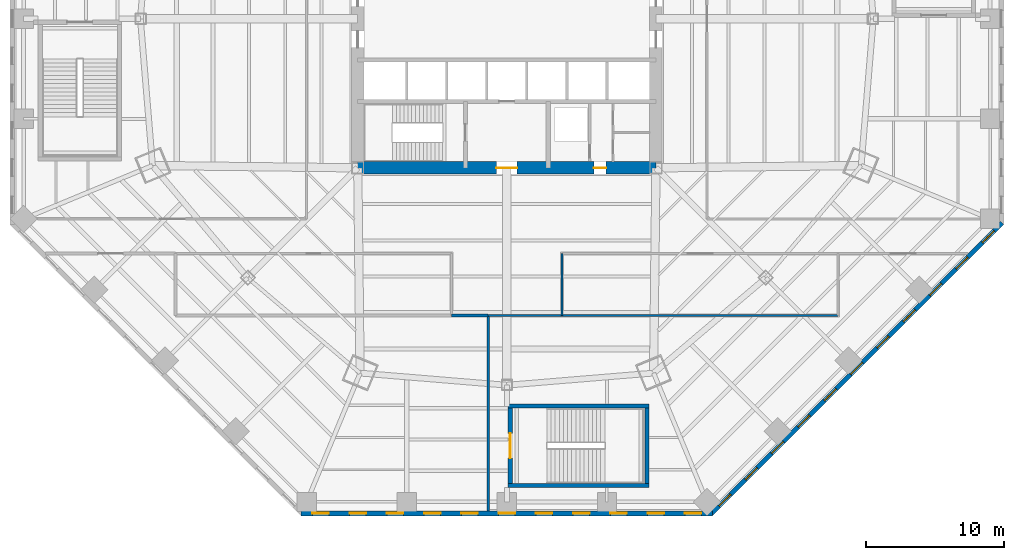
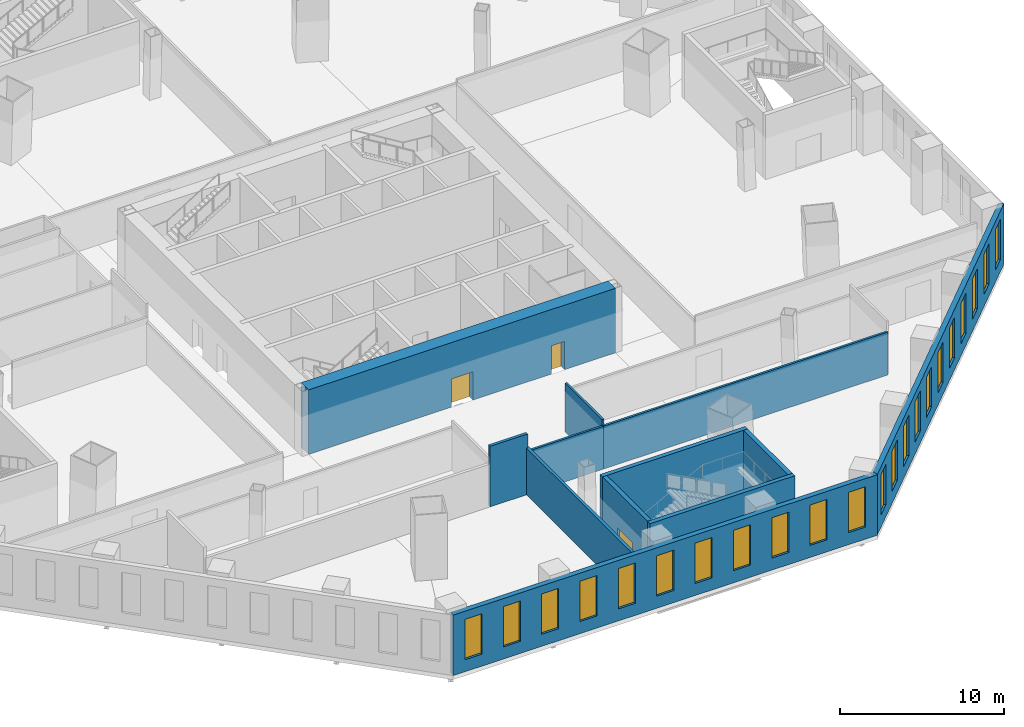
# One storey, part 9 of 19: 22 windows, 12 walls, 3 doors, 25 openings.
"""IFC4 building model written with IfcOpenShell, lengths in metres."""

from ifc_helpers import new_model, si_unit, direction, frame, frame_2d, origin, place, context, subcontext, project, spatial, rectangle, extrude, material, layer, layer_set, type_object, element, fill, save


model = new_model("IFC4")

# Units and contexts
model_context = context("Model", 3, precision=1e-05, world=origin(), true_north=direction((0.0, 1.0)))
body_context = subcontext(model_context, "Body", "Model", "MODEL_VIEW")
ifc_project = project(units=[si_unit("LENGTHUNIT", "METRE"), si_unit("AREAUNIT", "SQUARE_METRE"), si_unit("VOLUMEUNIT", "CUBIC_METRE"), si_unit("PLANEANGLEUNIT", "RADIAN"), si_unit("MASSUNIT", "GRAM", prefix="KILO")], contexts=[model_context])

# Site, building, storey
site_placement = place(None, origin())
site = spatial("IfcSite", under=ifc_project, at=site_placement, CompositionType="ELEMENT")
building_placement = place(site_placement, origin())
building = spatial("IfcBuilding", under=site, at=building_placement, Name="Mashrafa Tower", CompositionType="ELEMENT")
storey_placement = place(building_placement, frame((0.0, 0.0, 24.0)))
storey = spatial("IfcBuildingStorey", under=building, at=storey_placement, Name="L04", CompositionType="ELEMENT", Elevation=24.0)

# Walls
ifc_material_1 = material(Name="Concrete masonry unit", Category="masonry")
ifc_layer_1 = layer(ifc_material_1, 0.199951171875)
ifc_layer_set_1 = layer_set([ifc_layer_1], Name="Blockwork wall 200 2 hr")
wall_type_1 = type_object("IfcWallType", Name="Blockwork wall 200 2 hr", PredefinedType="PARTITIONING", material=ifc_layer_set_1)
wall_1_placement = place(storey_placement, frame((-1.35009765625, -35.64990234375, 0.0), z_axis=(0.0, 0.0, 1.0), x_axis=(0.0, 1.0, 0.0)))
element("IfcWall", 1, at=wall_1_placement, inside=storey, type_object=wall_type_1, Name="Blockwork wall L04-010", PredefinedType="PARTITIONING", context=body_context, shape_type="SweptSolid", body=[
    extrude(rectangle(XDim=14.14990234375, YDim=0.199951171875, at=frame_2d((7.074951171875, 0.0))), origin(), (0.0, 0.0, 1.0), 3.47900390625),
])
wall_2_placement = place(storey_placement, frame((-1.35009765625, -21.5, 0.0), z_axis=(0.0, 0.0, 1.0), x_axis=(-1.0, 0.0, 0.0)))
element("IfcWall", 2, at=wall_2_placement, inside=storey, type_object=wall_type_1, Name="Blockwork wall L04-014", PredefinedType="PARTITIONING", context=body_context, shape_type="SweptSolid", body=[
    extrude(rectangle(XDim=2.65087890625, YDim=0.199951171875, at=frame_2d((1.325439453125, 0.0))), origin(), (0.0, 0.0, 1.0), 4.5),
])

# Wall, openings, doors
ifc_material_2 = material(Name="Concrete C60/75", Category="concrete")
ifc_layer_2 = layer(ifc_material_2, 0.89990234375)
ifc_layer_set_2 = layer_set([ifc_layer_2], Name="Core wall 900 C60/75")
wall_type_2 = type_object("IfcWallType", Name="Core wall 900 C60/75", PredefinedType="SOLIDWALL", material=ifc_layer_set_2)
wall_3_placement = place(storey_placement, frame((-10.800048828125, -10.800048828125, 0.0), z_axis=(0.0, 0.0, 1.0), x_axis=(1.0, 0.0, 0.0)))
wall_3 = element("IfcWall", 3, at=wall_3_placement, inside=storey, type_object=wall_type_2, Name="Core wall CW-S L04", PredefinedType="SOLIDWALL", context=body_context, shape_type="SweptSolid", body=[
    extrude(rectangle(XDim=21.60009765625, YDim=0.89990234375, at=frame_2d((10.800048828125, 0.0))), origin(), (0.0, 0.0, 1.0), 4.800048828125),
])
opening_1_placement = place(wall_3_placement, frame((10.050048828125, 0.0, 0.0)))
opening_1 = element("IfcOpeningElement", 4, at=opening_1_placement, cuts=wall_3, Name="Opening 04.018", PredefinedType="OPENING", context=body_context, shape_type="SweptSolid", body=[
    extrude(rectangle(XDim=1.5, YDim=2.10009765625, at=frame_2d((0.75, 1.050048828125))), frame((0.0, 0.4599609375, 0.0), z_axis=(0.0, -1.0, 0.0), x_axis=(1.0, 0.0, 0.0)), (0.0, 0.0, 1.0), 0.919921875),
])
opening_2_placement = place(wall_3_placement, frame((17.10009765625, 0.0, 0.0)))
opening_2 = element("IfcOpeningElement", 5, at=opening_2_placement, cuts=wall_3, Name="Opening 04.022", PredefinedType="OPENING", context=body_context, shape_type="SweptSolid", body=[
    extrude(rectangle(XDim=0.89990234375, YDim=2.10009765625, at=frame_2d((0.449951171875, 1.050048828125))), frame((0.0, 0.4599609375, 0.0), z_axis=(0.0, -1.0, 0.0), x_axis=(1.0, 0.0, 0.0)), (0.0, 0.0, 1.0), 0.919921875),
])
ifc_material_3 = material(Name="Steel door", Category="steel")
door_type_1 = type_object("IfcDoorType", Name="Lobby door pair 1500 x 2100 90 min", OperationType="DOUBLE_DOOR_SINGLE_SWING", PredefinedType="DOOR", material=ifc_material_3)
door_1_placement = place(opening_1_placement, origin())
door_1 = element("IfcDoor", 6, at=door_1_placement, inside=storey, type_object=door_type_1, Name="Fire-fighting lobby F2 door L04", OperationType="DOUBLE_DOOR_SINGLE_SWING", OverallHeight=2.10009765625, OverallWidth=1.5, PredefinedType="DOOR", context=body_context, shape_type="SweptSolid", body=[
    extrude(rectangle(XDim=1.5, YDim=2.10009765625, at=frame_2d((0.75, 1.050048828125))), frame((0.0, 0.02490234375, 0.0), z_axis=(0.0, -1.0, 0.0), x_axis=(1.0, 0.0, 0.0)), (0.0, 0.0, 1.0), 0.050048828125),
])
fill(opening_1, door_1)
ifc_material_4 = material(Name="Steel door", Category="steel")
door_type_2 = type_object("IfcDoorType", Name="Service door 900 x 2100 90 min", OperationType="USERDEFINED", PredefinedType="DOOR", material=ifc_material_4)
door_2_placement = place(opening_2_placement, frame((0.89990234375, 0.0, 0.0), z_axis=(0.0, 0.0, 1.0), x_axis=(-1.0, 0.0, 0.0)))
door_2 = element("IfcDoor", 7, at=door_2_placement, inside=storey, type_object=door_type_2, Name="Services Lobby L04 door", OperationType="SINGLE_SWING_LEFT", OverallHeight=2.10009765625, OverallWidth=0.89990234375, PredefinedType="DOOR", context=body_context, shape_type="SweptSolid", body=[
    extrude(rectangle(XDim=0.89990234375, YDim=2.10009765625, at=frame_2d((0.449951171875, 1.050048828125))), frame((0.0, 0.02490234375, 0.0), z_axis=(0.0, -1.0, 0.0), x_axis=(1.0, 0.0, 0.0)), (0.0, 0.0, 1.0), 0.050048828125),
])
fill(opening_2, door_2)

# Walls
ifc_material_5 = material(Name="Gypsum board on steel studs", Category="steel")
ifc_layer_3 = layer(ifc_material_5, 0.14990234375)
ifc_layer_set_3 = layer_set([ifc_layer_3], Name="Corridor partition 150 1 hr")
wall_type_3 = type_object("IfcWallType", Name="Corridor partition 150 1 hr", PredefinedType="PARTITIONING", material=ifc_layer_set_3)
wall_4_placement = place(storey_placement, frame((4.0009765625, -21.5, 0.0), z_axis=(0.0, 0.0, 1.0), x_axis=(-1.0, 0.0, 0.0)))
element("IfcWall", 8, at=wall_4_placement, inside=storey, type_object=wall_type_3, Name="Corridor wall L04-017", PredefinedType="PARTITIONING", context=body_context, shape_type="SweptSolid", body=[
    extrude(rectangle(XDim=5.35107421875, YDim=0.14990234375, at=frame_2d((2.675537109375, 0.0))), origin(), (0.0, 0.0, 1.0), 3.18994140625),
])
wall_5_placement = place(storey_placement, frame((4.0, -17.0, 0.0), z_axis=(0.0, 0.0, 1.0), x_axis=(0.0, -1.0, 0.0)))
element("IfcWall", 9, at=wall_5_placement, inside=storey, type_object=wall_type_3, Name="Corridor wall L04-030", PredefinedType="PARTITIONING", context=body_context, shape_type="SweptSolid", body=[
    extrude(rectangle(XDim=4.5, YDim=0.14990234375, at=frame_2d((2.25, 0.0))), origin(), (0.0, 0.0, 1.0), 3.644287109375),
])

# Wall, openings, windows
ifc_material_6 = material(Name="Riyadh limestone cladding on blockwork", Category="masonry")
ifc_layer_4 = layer(ifc_material_6, 0.35009765625)
ifc_layer_set_4 = layer_set([ifc_layer_4], Name="Limestone-clad external wall 350")
wall_type_4 = type_object("IfcWallType", Name="Limestone-clad external wall 350", PredefinedType="SOLIDWALL", material=ifc_layer_set_4)
wall_6_placement = place(storey_placement, frame((-14.91162109375, -35.824951171875, 0.0), z_axis=(0.0, 0.0, 1.0), x_axis=(1.0, 0.0, 0.0)))
wall_6 = element("IfcWall", 10, at=wall_6_placement, inside=storey, type_object=wall_type_4, Name="Limestone-clad external wall L04 south", PredefinedType="SOLIDWALL", context=body_context, shape_type="SweptSolid", body=[
    extrude(rectangle(XDim=29.8232421875, YDim=0.35009765625, at=frame_2d((14.91162109375, 0.0))), origin(), (0.0, 0.0, 1.0), 4.5),
])
opening_3_placement = place(wall_6_placement, frame((0.821533203125, 0.0, 0.89990234375)))
opening_3 = element("IfcOpeningElement", 11, at=opening_3_placement, cuts=wall_6, Name="Opening W3", PredefinedType="OPENING", context=body_context, shape_type="SweptSolid", body=[
    extrude(rectangle(XDim=1.199951171875, YDim=3.0, at=frame_2d((0.60009765625, 1.5))), frame((0.0, 0.18505859375, 0.0), z_axis=(0.0, -1.0, 0.0), x_axis=(1.0, 0.0, 0.0)), (0.0, 0.0, 1.0), 0.3701171875),
])
opening_4_placement = place(wall_6_placement, frame((3.51953125, 0.0, 0.89990234375)))
opening_4 = element("IfcOpeningElement", 12, at=opening_4_placement, cuts=wall_6, Name="Opening W3", PredefinedType="OPENING", context=body_context, shape_type="SweptSolid", body=[
    extrude(rectangle(XDim=1.199951171875, YDim=3.0, at=frame_2d((0.60009765625, 1.5))), frame((0.0, 0.18505859375, 0.0), z_axis=(0.0, -1.0, 0.0), x_axis=(1.0, 0.0, 0.0)), (0.0, 0.0, 1.0), 0.3701171875),
])
opening_5_placement = place(wall_6_placement, frame((6.217529296875, 0.0, 0.89990234375)))
opening_5 = element("IfcOpeningElement", 13, at=opening_5_placement, cuts=wall_6, Name="Opening W3", PredefinedType="OPENING", context=body_context, shape_type="SweptSolid", body=[
    extrude(rectangle(XDim=1.199951171875, YDim=3.0, at=frame_2d((0.60009765625, 1.5))), frame((0.0, 0.18505859375, 0.0), z_axis=(0.0, -1.0, 0.0), x_axis=(1.0, 0.0, 0.0)), (0.0, 0.0, 1.0), 0.3701171875),
])
opening_6_placement = place(wall_6_placement, frame((8.91552734375, 0.0, 0.89990234375)))
opening_6 = element("IfcOpeningElement", 14, at=opening_6_placement, cuts=wall_6, Name="Opening W3", PredefinedType="OPENING", context=body_context, shape_type="SweptSolid", body=[
    extrude(rectangle(XDim=1.199951171875, YDim=3.0, at=frame_2d((0.60009765625, 1.5))), frame((0.0, 0.18505859375, 0.0), z_axis=(0.0, -1.0, 0.0), x_axis=(1.0, 0.0, 0.0)), (0.0, 0.0, 1.0), 0.3701171875),
])
opening_7_placement = place(wall_6_placement, frame((11.61376953125, 0.0, 0.89990234375)))
opening_7 = element("IfcOpeningElement", 15, at=opening_7_placement, cuts=wall_6, Name="Opening W3", PredefinedType="OPENING", context=body_context, shape_type="SweptSolid", body=[
    extrude(rectangle(XDim=1.199951171875, YDim=3.0, at=frame_2d((0.60009765625, 1.5))), frame((0.0, 0.18505859375, 0.0), z_axis=(0.0, -1.0, 0.0), x_axis=(1.0, 0.0, 0.0)), (0.0, 0.0, 1.0), 0.3701171875),
])
opening_8_placement = place(wall_6_placement, frame((14.311767578125, 0.0, 0.89990234375)))
opening_8 = element("IfcOpeningElement", 16, at=opening_8_placement, cuts=wall_6, Name="Opening W3", PredefinedType="OPENING", context=body_context, shape_type="SweptSolid", body=[
    extrude(rectangle(XDim=1.199951171875, YDim=3.0, at=frame_2d((0.60009765625, 1.5))), frame((0.0, 0.18505859375, 0.0), z_axis=(0.0, -1.0, 0.0), x_axis=(1.0, 0.0, 0.0)), (0.0, 0.0, 1.0), 0.3701171875),
])
opening_9_placement = place(wall_6_placement, frame((17.009765625, 0.0, 0.89990234375)))
opening_9 = element("IfcOpeningElement", 17, at=opening_9_placement, cuts=wall_6, Name="Opening W3", PredefinedType="OPENING", context=body_context, shape_type="SweptSolid", body=[
    extrude(rectangle(XDim=1.199951171875, YDim=3.0, at=frame_2d((0.60009765625, 1.5))), frame((0.0, 0.18505859375, 0.0), z_axis=(0.0, -1.0, 0.0), x_axis=(1.0, 0.0, 0.0)), (0.0, 0.0, 1.0), 0.3701171875),
])
opening_10_placement = place(wall_6_placement, frame((19.707763671875, 0.0, 0.89990234375)))
opening_10 = element("IfcOpeningElement", 18, at=opening_10_placement, cuts=wall_6, Name="Opening W3", PredefinedType="OPENING", context=body_context, shape_type="SweptSolid", body=[
    extrude(rectangle(XDim=1.199951171875, YDim=3.0, at=frame_2d((0.60009765625, 1.5))), frame((0.0, 0.18505859375, 0.0), z_axis=(0.0, -1.0, 0.0), x_axis=(1.0, 0.0, 0.0)), (0.0, 0.0, 1.0), 0.3701171875),
])
opening_11_placement = place(wall_6_placement, frame((22.40576171875, 0.0, 0.89990234375)))
opening_11 = element("IfcOpeningElement", 19, at=opening_11_placement, cuts=wall_6, Name="Opening W3", PredefinedType="OPENING", context=body_context, shape_type="SweptSolid", body=[
    extrude(rectangle(XDim=1.199951171875, YDim=3.0, at=frame_2d((0.60009765625, 1.5))), frame((0.0, 0.18505859375, 0.0), z_axis=(0.0, -1.0, 0.0), x_axis=(1.0, 0.0, 0.0)), (0.0, 0.0, 1.0), 0.3701171875),
])
opening_12_placement = place(wall_6_placement, frame((25.103759765625, 0.0, 0.89990234375)))
opening_12 = element("IfcOpeningElement", 20, at=opening_12_placement, cuts=wall_6, Name="Opening W3", PredefinedType="OPENING", context=body_context, shape_type="SweptSolid", body=[
    extrude(rectangle(XDim=1.199951171875, YDim=3.0, at=frame_2d((0.60009765625, 1.5))), frame((0.0, 0.18505859375, 0.0), z_axis=(0.0, -1.0, 0.0), x_axis=(1.0, 0.0, 0.0)), (0.0, 0.0, 1.0), 0.3701171875),
])
opening_13_placement = place(wall_6_placement, frame((27.8017578125, 0.0, 0.89990234375)))
opening_13 = element("IfcOpeningElement", 21, at=opening_13_placement, cuts=wall_6, Name="Opening W3", PredefinedType="OPENING", context=body_context, shape_type="SweptSolid", body=[
    extrude(rectangle(XDim=1.199951171875, YDim=3.0, at=frame_2d((0.60009765625, 1.5))), frame((0.0, 0.18505859375, 0.0), z_axis=(0.0, -1.0, 0.0), x_axis=(1.0, 0.0, 0.0)), (0.0, 0.0, 1.0), 0.3701171875),
])
ifc_material_7 = material(Name="Bronze-framed insulated glazing", Category="glass")
window_type = type_object("IfcWindowType", Name="Tall punched window 1200 x 3000", PartitioningType="DOUBLE_PANEL_HORIZONTAL", PredefinedType="WINDOW", material=ifc_material_7)
window_1_placement = place(opening_3_placement, origin())
window_1 = element("IfcWindow", 22, at=window_1_placement, inside=storey, type_object=window_type, Name="Window W3 L04 south bay 1", OverallHeight=3.0, OverallWidth=1.199951171875, PartitioningType="SINGLE_PANEL", PredefinedType="WINDOW", context=body_context, shape_type="SweptSolid", body=[
    extrude(rectangle(XDim=1.199951171875, YDim=3.0, at=frame_2d((0.60009765625, 1.5))), frame((0.0, 0.030029296875, 0.0), z_axis=(0.0, -1.0, 0.0), x_axis=(1.0, 0.0, 0.0)), (0.0, 0.0, 1.0), 0.06005859375),
])
fill(opening_3, window_1)
window_2_placement = place(opening_4_placement, origin())
window_2 = element("IfcWindow", 23, at=window_2_placement, inside=storey, type_object=window_type, Name="Window W3 L04 south bay 2", OverallHeight=3.0, OverallWidth=1.199951171875, PartitioningType="SINGLE_PANEL", PredefinedType="WINDOW", context=body_context, shape_type="SweptSolid", body=[
    extrude(rectangle(XDim=1.199951171875, YDim=3.0, at=frame_2d((0.60009765625, 1.5))), frame((0.0, 0.030029296875, 0.0), z_axis=(0.0, -1.0, 0.0), x_axis=(1.0, 0.0, 0.0)), (0.0, 0.0, 1.0), 0.06005859375),
])
fill(opening_4, window_2)
window_3_placement = place(opening_5_placement, origin())
window_3 = element("IfcWindow", 24, at=window_3_placement, inside=storey, type_object=window_type, Name="Window W3 L04 south bay 3", OverallHeight=3.0, OverallWidth=1.199951171875, PartitioningType="SINGLE_PANEL", PredefinedType="WINDOW", context=body_context, shape_type="SweptSolid", body=[
    extrude(rectangle(XDim=1.199951171875, YDim=3.0, at=frame_2d((0.60009765625, 1.5))), frame((0.0, 0.030029296875, 0.0), z_axis=(0.0, -1.0, 0.0), x_axis=(1.0, 0.0, 0.0)), (0.0, 0.0, 1.0), 0.06005859375),
])
fill(opening_5, window_3)
window_4_placement = place(opening_6_placement, origin())
window_4 = element("IfcWindow", 25, at=window_4_placement, inside=storey, type_object=window_type, Name="Window W3 L04 south bay 4", OverallHeight=3.0, OverallWidth=1.199951171875, PartitioningType="SINGLE_PANEL", PredefinedType="WINDOW", context=body_context, shape_type="SweptSolid", body=[
    extrude(rectangle(XDim=1.199951171875, YDim=3.0, at=frame_2d((0.60009765625, 1.5))), frame((0.0, 0.030029296875, 0.0), z_axis=(0.0, -1.0, 0.0), x_axis=(1.0, 0.0, 0.0)), (0.0, 0.0, 1.0), 0.06005859375),
])
fill(opening_6, window_4)
window_5_placement = place(opening_7_placement, origin())
window_5 = element("IfcWindow", 26, at=window_5_placement, inside=storey, type_object=window_type, Name="Window W3 L04 south bay 5", OverallHeight=3.0, OverallWidth=1.199951171875, PartitioningType="SINGLE_PANEL", PredefinedType="WINDOW", context=body_context, shape_type="SweptSolid", body=[
    extrude(rectangle(XDim=1.199951171875, YDim=3.0, at=frame_2d((0.60009765625, 1.5))), frame((0.0, 0.030029296875, 0.0), z_axis=(0.0, -1.0, 0.0), x_axis=(1.0, 0.0, 0.0)), (0.0, 0.0, 1.0), 0.06005859375),
])
fill(opening_7, window_5)
window_6_placement = place(opening_8_placement, origin())
window_6 = element("IfcWindow", 27, at=window_6_placement, inside=storey, type_object=window_type, Name="Window W3 L04 south bay 6", OverallHeight=3.0, OverallWidth=1.199951171875, PartitioningType="SINGLE_PANEL", PredefinedType="WINDOW", context=body_context, shape_type="SweptSolid", body=[
    extrude(rectangle(XDim=1.199951171875, YDim=3.0, at=frame_2d((0.60009765625, 1.5))), frame((0.0, 0.030029296875, 0.0), z_axis=(0.0, -1.0, 0.0), x_axis=(1.0, 0.0, 0.0)), (0.0, 0.0, 1.0), 0.06005859375),
])
fill(opening_8, window_6)
window_7_placement = place(opening_9_placement, origin())
window_7 = element("IfcWindow", 28, at=window_7_placement, inside=storey, type_object=window_type, Name="Window W3 L04 south bay 7", OverallHeight=3.0, OverallWidth=1.199951171875, PartitioningType="SINGLE_PANEL", PredefinedType="WINDOW", context=body_context, shape_type="SweptSolid", body=[
    extrude(rectangle(XDim=1.199951171875, YDim=3.0, at=frame_2d((0.60009765625, 1.5))), frame((0.0, 0.030029296875, 0.0), z_axis=(0.0, -1.0, 0.0), x_axis=(1.0, 0.0, 0.0)), (0.0, 0.0, 1.0), 0.06005859375),
])
fill(opening_9, window_7)
window_8_placement = place(opening_10_placement, origin())
window_8 = element("IfcWindow", 29, at=window_8_placement, inside=storey, type_object=window_type, Name="Window W3 L04 south bay 8", OverallHeight=3.0, OverallWidth=1.199951171875, PartitioningType="SINGLE_PANEL", PredefinedType="WINDOW", context=body_context, shape_type="SweptSolid", body=[
    extrude(rectangle(XDim=1.199951171875, YDim=3.0, at=frame_2d((0.60009765625, 1.5))), frame((0.0, 0.030029296875, 0.0), z_axis=(0.0, -1.0, 0.0), x_axis=(1.0, 0.0, 0.0)), (0.0, 0.0, 1.0), 0.06005859375),
])
fill(opening_10, window_8)
window_9_placement = place(opening_11_placement, origin())
window_9 = element("IfcWindow", 30, at=window_9_placement, inside=storey, type_object=window_type, Name="Window W3 L04 south bay 9", OverallHeight=3.0, OverallWidth=1.199951171875, PartitioningType="SINGLE_PANEL", PredefinedType="WINDOW", context=body_context, shape_type="SweptSolid", body=[
    extrude(rectangle(XDim=1.199951171875, YDim=3.0, at=frame_2d((0.60009765625, 1.5))), frame((0.0, 0.030029296875, 0.0), z_axis=(0.0, -1.0, 0.0), x_axis=(1.0, 0.0, 0.0)), (0.0, 0.0, 1.0), 0.06005859375),
])
fill(opening_11, window_9)
window_10_placement = place(opening_12_placement, origin())
window_10 = element("IfcWindow", 31, at=window_10_placement, inside=storey, type_object=window_type, Name="Window W3 L04 south bay 10", OverallHeight=3.0, OverallWidth=1.199951171875, PartitioningType="SINGLE_PANEL", PredefinedType="WINDOW", context=body_context, shape_type="SweptSolid", body=[
    extrude(rectangle(XDim=1.199951171875, YDim=3.0, at=frame_2d((0.60009765625, 1.5))), frame((0.0, 0.030029296875, 0.0), z_axis=(0.0, -1.0, 0.0), x_axis=(1.0, 0.0, 0.0)), (0.0, 0.0, 1.0), 0.06005859375),
])
fill(opening_12, window_10)
window_11_placement = place(opening_13_placement, origin())
window_11 = element("IfcWindow", 32, at=window_11_placement, inside=storey, type_object=window_type, Name="Window W3 L04 south bay 11", OverallHeight=3.0, OverallWidth=1.199951171875, PartitioningType="SINGLE_PANEL", PredefinedType="WINDOW", context=body_context, shape_type="SweptSolid", body=[
    extrude(rectangle(XDim=1.199951171875, YDim=3.0, at=frame_2d((0.60009765625, 1.5))), frame((0.0, 0.030029296875, 0.0), z_axis=(0.0, -1.0, 0.0), x_axis=(1.0, 0.0, 0.0)), (0.0, 0.0, 1.0), 0.06005859375),
])
fill(opening_13, window_11)

wall_7_placement = place(storey_placement, frame((14.787841796875, -35.876220703125, 0.0), z_axis=(0.0, 0.0, 1.0), x_axis=(0.707106781187, 0.707106781187, 0.0)))
wall_7 = element("IfcWall", 33, at=wall_7_placement, inside=storey, type_object=wall_type_4, Name="Limestone-clad external wall L04 south-east", PredefinedType="SOLIDWALL", context=body_context, shape_type="SweptSolid", body=[
    extrude(rectangle(XDim=29.823486328125, YDim=0.35009765625, at=frame_2d((14.91162109375, 0.0))), origin(), (0.0, 0.0, 1.0), 4.5),
])
opening_14_placement = place(wall_7_placement, frame((0.821533203125, 0.0, 0.89990234375)))
opening_14 = element("IfcOpeningElement", 34, at=opening_14_placement, cuts=wall_7, Name="Opening W3", PredefinedType="OPENING", context=body_context, shape_type="SweptSolid", body=[
    extrude(rectangle(XDim=1.199951171875, YDim=3.0, at=frame_2d((0.60009765625, 1.5))), frame((0.0, 0.18505859375, 0.0), z_axis=(0.0, -1.0, 0.0), x_axis=(1.0, 0.0, 0.0)), (0.0, 0.0, 1.0), 0.3701171875),
])
opening_15_placement = place(wall_7_placement, frame((3.51953125, 0.0, 0.89990234375)))
opening_15 = element("IfcOpeningElement", 35, at=opening_15_placement, cuts=wall_7, Name="Opening W3", PredefinedType="OPENING", context=body_context, shape_type="SweptSolid", body=[
    extrude(rectangle(XDim=1.199951171875, YDim=3.0, at=frame_2d((0.60009765625, 1.5))), frame((0.0, 0.18505859375, 0.0), z_axis=(0.0, -1.0, 0.0), x_axis=(1.0, 0.0, 0.0)), (0.0, 0.0, 1.0), 0.3701171875),
])
opening_16_placement = place(wall_7_placement, frame((6.217529296875, 0.0, 0.89990234375)))
opening_16 = element("IfcOpeningElement", 36, at=opening_16_placement, cuts=wall_7, Name="Opening W3", PredefinedType="OPENING", context=body_context, shape_type="SweptSolid", body=[
    extrude(rectangle(XDim=1.199951171875, YDim=3.0, at=frame_2d((0.60009765625, 1.5))), frame((0.0, 0.18505859375, 0.0), z_axis=(0.0, -1.0, 0.0), x_axis=(1.0, 0.0, 0.0)), (0.0, 0.0, 1.0), 0.3701171875),
])
opening_17_placement = place(wall_7_placement, frame((8.91552734375, 0.0, 0.89990234375)))
opening_17 = element("IfcOpeningElement", 37, at=opening_17_placement, cuts=wall_7, Name="Opening W3", PredefinedType="OPENING", context=body_context, shape_type="SweptSolid", body=[
    extrude(rectangle(XDim=1.199951171875, YDim=3.0, at=frame_2d((0.60009765625, 1.5))), frame((0.0, 0.18505859375, 0.0), z_axis=(0.0, -1.0, 0.0), x_axis=(1.0, 0.0, 0.0)), (0.0, 0.0, 1.0), 0.3701171875),
])
opening_18_placement = place(wall_7_placement, frame((11.61376953125, 0.0, 0.89990234375)))
opening_18 = element("IfcOpeningElement", 38, at=opening_18_placement, cuts=wall_7, Name="Opening W3", PredefinedType="OPENING", context=body_context, shape_type="SweptSolid", body=[
    extrude(rectangle(XDim=1.199951171875, YDim=3.0, at=frame_2d((0.60009765625, 1.5))), frame((0.0, 0.18505859375, 0.0), z_axis=(0.0, -1.0, 0.0), x_axis=(1.0, 0.0, 0.0)), (0.0, 0.0, 1.0), 0.3701171875),
])
opening_19_placement = place(wall_7_placement, frame((14.311767578125, 0.0, 0.89990234375)))
opening_19 = element("IfcOpeningElement", 39, at=opening_19_placement, cuts=wall_7, Name="Opening W3", PredefinedType="OPENING", context=body_context, shape_type="SweptSolid", body=[
    extrude(rectangle(XDim=1.199951171875, YDim=3.0, at=frame_2d((0.60009765625, 1.5))), frame((0.0, 0.18505859375, 0.0), z_axis=(0.0, -1.0, 0.0), x_axis=(1.0, 0.0, 0.0)), (0.0, 0.0, 1.0), 0.3701171875),
])
opening_20_placement = place(wall_7_placement, frame((17.009765625, 0.0, 0.89990234375)))
opening_20 = element("IfcOpeningElement", 40, at=opening_20_placement, cuts=wall_7, Name="Opening W3", PredefinedType="OPENING", context=body_context, shape_type="SweptSolid", body=[
    extrude(rectangle(XDim=1.199951171875, YDim=3.0, at=frame_2d((0.60009765625, 1.5))), frame((0.0, 0.18505859375, 0.0), z_axis=(0.0, -1.0, 0.0), x_axis=(1.0, 0.0, 0.0)), (0.0, 0.0, 1.0), 0.3701171875),
])
opening_21_placement = place(wall_7_placement, frame((19.707763671875, 0.0, 0.89990234375)))
opening_21 = element("IfcOpeningElement", 41, at=opening_21_placement, cuts=wall_7, Name="Opening W3", PredefinedType="OPENING", context=body_context, shape_type="SweptSolid", body=[
    extrude(rectangle(XDim=1.199951171875, YDim=3.0, at=frame_2d((0.60009765625, 1.5))), frame((0.0, 0.18505859375, 0.0), z_axis=(0.0, -1.0, 0.0), x_axis=(1.0, 0.0, 0.0)), (0.0, 0.0, 1.0), 0.3701171875),
])
opening_22_placement = place(wall_7_placement, frame((22.40576171875, 0.0, 0.89990234375)))
opening_22 = element("IfcOpeningElement", 42, at=opening_22_placement, cuts=wall_7, Name="Opening W3", PredefinedType="OPENING", context=body_context, shape_type="SweptSolid", body=[
    extrude(rectangle(XDim=1.199951171875, YDim=3.0, at=frame_2d((0.60009765625, 1.5))), frame((0.0, 0.18505859375, 0.0), z_axis=(0.0, -1.0, 0.0), x_axis=(1.0, 0.0, 0.0)), (0.0, 0.0, 1.0), 0.3701171875),
])
opening_23_placement = place(wall_7_placement, frame((25.103759765625, 0.0, 0.89990234375)))
opening_23 = element("IfcOpeningElement", 43, at=opening_23_placement, cuts=wall_7, Name="Opening W3", PredefinedType="OPENING", context=body_context, shape_type="SweptSolid", body=[
    extrude(rectangle(XDim=1.199951171875, YDim=3.0, at=frame_2d((0.60009765625, 1.5))), frame((0.0, 0.18505859375, 0.0), z_axis=(0.0, -1.0, 0.0), x_axis=(1.0, 0.0, 0.0)), (0.0, 0.0, 1.0), 0.3701171875),
])
opening_24_placement = place(wall_7_placement, frame((27.8017578125, 0.0, 0.89990234375)))
opening_24 = element("IfcOpeningElement", 44, at=opening_24_placement, cuts=wall_7, Name="Opening W3", PredefinedType="OPENING", context=body_context, shape_type="SweptSolid", body=[
    extrude(rectangle(XDim=1.199951171875, YDim=3.0, at=frame_2d((0.60009765625, 1.5))), frame((0.0, 0.18505859375, 0.0), z_axis=(0.0, -1.0, 0.0), x_axis=(1.0, 0.0, 0.0)), (0.0, 0.0, 1.0), 0.3701171875),
])
window_12_placement = place(opening_14_placement, origin())
window_12 = element("IfcWindow", 45, at=window_12_placement, inside=storey, type_object=window_type, Name="Window W3 L04 south-east bay 1", OverallHeight=3.0, OverallWidth=1.199951171875, PartitioningType="SINGLE_PANEL", PredefinedType="WINDOW", context=body_context, shape_type="SweptSolid", body=[
    extrude(rectangle(XDim=1.199951171875, YDim=3.0, at=frame_2d((0.60009765625, 1.5))), frame((0.0, 0.030029296875, 0.0), z_axis=(0.0, -1.0, 0.0), x_axis=(1.0, 0.0, 0.0)), (0.0, 0.0, 1.0), 0.06005859375),
])
fill(opening_14, window_12)
window_13_placement = place(opening_15_placement, origin())
window_13 = element("IfcWindow", 46, at=window_13_placement, inside=storey, type_object=window_type, Name="Window W3 L04 south-east bay 2", OverallHeight=3.0, OverallWidth=1.199951171875, PartitioningType="SINGLE_PANEL", PredefinedType="WINDOW", context=body_context, shape_type="SweptSolid", body=[
    extrude(rectangle(XDim=1.199951171875, YDim=3.0, at=frame_2d((0.60009765625, 1.5))), frame((0.0, 0.030029296875, 0.0), z_axis=(0.0, -1.0, 0.0), x_axis=(1.0, 0.0, 0.0)), (0.0, 0.0, 1.0), 0.06005859375),
])
fill(opening_15, window_13)
window_14_placement = place(opening_16_placement, origin())
window_14 = element("IfcWindow", 47, at=window_14_placement, inside=storey, type_object=window_type, Name="Window W3 L04 south-east bay 3", OverallHeight=3.0, OverallWidth=1.199951171875, PartitioningType="SINGLE_PANEL", PredefinedType="WINDOW", context=body_context, shape_type="SweptSolid", body=[
    extrude(rectangle(XDim=1.199951171875, YDim=3.0, at=frame_2d((0.60009765625, 1.5))), frame((0.0, 0.030029296875, 0.0), z_axis=(0.0, -1.0, 0.0), x_axis=(1.0, 0.0, 0.0)), (0.0, 0.0, 1.0), 0.06005859375),
])
fill(opening_16, window_14)
window_15_placement = place(opening_17_placement, origin())
window_15 = element("IfcWindow", 48, at=window_15_placement, inside=storey, type_object=window_type, Name="Window W3 L04 south-east bay 4", OverallHeight=3.0, OverallWidth=1.199951171875, PartitioningType="SINGLE_PANEL", PredefinedType="WINDOW", context=body_context, shape_type="SweptSolid", body=[
    extrude(rectangle(XDim=1.199951171875, YDim=3.0, at=frame_2d((0.60009765625, 1.5))), frame((0.0, 0.030029296875, 0.0), z_axis=(0.0, -1.0, 0.0), x_axis=(1.0, 0.0, 0.0)), (0.0, 0.0, 1.0), 0.06005859375),
])
fill(opening_17, window_15)
window_16_placement = place(opening_18_placement, origin())
window_16 = element("IfcWindow", 49, at=window_16_placement, inside=storey, type_object=window_type, Name="Window W3 L04 south-east bay 5", OverallHeight=3.0, OverallWidth=1.199951171875, PartitioningType="SINGLE_PANEL", PredefinedType="WINDOW", context=body_context, shape_type="SweptSolid", body=[
    extrude(rectangle(XDim=1.199951171875, YDim=3.0, at=frame_2d((0.60009765625, 1.5))), frame((0.0, 0.030029296875, 0.0), z_axis=(0.0, -1.0, 0.0), x_axis=(1.0, 0.0, 0.0)), (0.0, 0.0, 1.0), 0.06005859375),
])
fill(opening_18, window_16)
window_17_placement = place(opening_19_placement, origin())
window_17 = element("IfcWindow", 50, at=window_17_placement, inside=storey, type_object=window_type, Name="Window W3 L04 south-east bay 6", OverallHeight=3.0, OverallWidth=1.199951171875, PartitioningType="SINGLE_PANEL", PredefinedType="WINDOW", context=body_context, shape_type="SweptSolid", body=[
    extrude(rectangle(XDim=1.199951171875, YDim=3.0, at=frame_2d((0.60009765625, 1.5))), frame((0.0, 0.030029296875, 0.0), z_axis=(0.0, -1.0, 0.0), x_axis=(1.0, 0.0, 0.0)), (0.0, 0.0, 1.0), 0.06005859375),
])
fill(opening_19, window_17)
window_18_placement = place(opening_20_placement, origin())
window_18 = element("IfcWindow", 51, at=window_18_placement, inside=storey, type_object=window_type, Name="Window W3 L04 south-east bay 7", OverallHeight=3.0, OverallWidth=1.199951171875, PartitioningType="SINGLE_PANEL", PredefinedType="WINDOW", context=body_context, shape_type="SweptSolid", body=[
    extrude(rectangle(XDim=1.199951171875, YDim=3.0, at=frame_2d((0.60009765625, 1.5))), frame((0.0, 0.030029296875, 0.0), z_axis=(0.0, -1.0, 0.0), x_axis=(1.0, 0.0, 0.0)), (0.0, 0.0, 1.0), 0.06005859375),
])
fill(opening_20, window_18)
window_19_placement = place(opening_21_placement, origin())
window_19 = element("IfcWindow", 52, at=window_19_placement, inside=storey, type_object=window_type, Name="Window W3 L04 south-east bay 8", OverallHeight=3.0, OverallWidth=1.199951171875, PartitioningType="SINGLE_PANEL", PredefinedType="WINDOW", context=body_context, shape_type="SweptSolid", body=[
    extrude(rectangle(XDim=1.199951171875, YDim=3.0, at=frame_2d((0.60009765625, 1.5))), frame((0.0, 0.030029296875, 0.0), z_axis=(0.0, -1.0, 0.0), x_axis=(1.0, 0.0, 0.0)), (0.0, 0.0, 1.0), 0.06005859375),
])
fill(opening_21, window_19)
window_20_placement = place(opening_22_placement, origin())
window_20 = element("IfcWindow", 53, at=window_20_placement, inside=storey, type_object=window_type, Name="Window W3 L04 south-east bay 9", OverallHeight=3.0, OverallWidth=1.199951171875, PartitioningType="SINGLE_PANEL", PredefinedType="WINDOW", context=body_context, shape_type="SweptSolid", body=[
    extrude(rectangle(XDim=1.199951171875, YDim=3.0, at=frame_2d((0.60009765625, 1.5))), frame((0.0, 0.030029296875, 0.0), z_axis=(0.0, -1.0, 0.0), x_axis=(1.0, 0.0, 0.0)), (0.0, 0.0, 1.0), 0.06005859375),
])
fill(opening_22, window_20)
window_21_placement = place(opening_23_placement, origin())
window_21 = element("IfcWindow", 54, at=window_21_placement, inside=storey, type_object=window_type, Name="Window W3 L04 south-east bay 10", OverallHeight=3.0, OverallWidth=1.199951171875, PartitioningType="SINGLE_PANEL", PredefinedType="WINDOW", context=body_context, shape_type="SweptSolid", body=[
    extrude(rectangle(XDim=1.199951171875, YDim=3.0, at=frame_2d((0.60009765625, 1.5))), frame((0.0, 0.030029296875, 0.0), z_axis=(0.0, -1.0, 0.0), x_axis=(1.0, 0.0, 0.0)), (0.0, 0.0, 1.0), 0.06005859375),
])
fill(opening_23, window_21)
window_22_placement = place(opening_24_placement, origin())
window_22 = element("IfcWindow", 55, at=window_22_placement, inside=storey, type_object=window_type, Name="Window W3 L04 south-east bay 11", OverallHeight=3.0, OverallWidth=1.199951171875, PartitioningType="SINGLE_PANEL", PredefinedType="WINDOW", context=body_context, shape_type="SweptSolid", body=[
    extrude(rectangle(XDim=1.199951171875, YDim=3.0, at=frame_2d((0.60009765625, 1.5))), frame((0.0, 0.030029296875, 0.0), z_axis=(0.0, -1.0, 0.0), x_axis=(1.0, 0.0, 0.0)), (0.0, 0.0, 1.0), 0.06005859375),
])
fill(opening_24, window_22)

# Walls
ifc_material_8 = material(Name="Gypsum board on steel studs", Category="steel")
ifc_layer_5 = layer(ifc_material_8, 0.14990234375)
ifc_layer_set_5 = layer_set([ifc_layer_5], Name="Partition 150")
wall_type_5 = type_object("IfcWallType", Name="Partition 150", PredefinedType="PARTITIONING", material=ifc_layer_set_5)
wall_8_placement = place(storey_placement, frame((24.0, -21.5, 0.0), z_axis=(0.0, 0.0, 1.0), x_axis=(-1.0, 0.0, 0.0)))
element("IfcWall", 56, at=wall_8_placement, inside=storey, type_object=wall_type_5, Name="Partition wall L04-016", PredefinedType="PARTITIONING", context=body_context, shape_type="SweptSolid", body=[
    extrude(rectangle(XDim=20.0009765625, YDim=0.14990234375, at=frame_2d((10.00048828125, 0.0))), origin(), (0.0, 0.0, 1.0), 3.18994140625),
])
ifc_material_9 = material(Name="Concrete C35/45", Category="concrete")
ifc_layer_6 = layer(ifc_material_9, 0.300048828125)
ifc_layer_set_6 = layer_set([ifc_layer_6], Name="Stair core wall 300 3 hr")
wall_type_6 = type_object("IfcWallType", Name="Stair core wall 300 3 hr", PredefinedType="SOLIDWALL", material=ifc_layer_set_6)
for number, where, z_axis, x_axis, name in (
    (57, (0.10009765625, -33.800048828125, 0.0), (0.0, 0.0, 1.0), (1.0, 0.0, 0.0), "Stair P4 core wall S L04"),
    (58, (10.300048828125, -28.050048828125, 0.0), (0.0, 0.0, 1.0), (-1.0, 0.0, 0.0), "Stair P4 core wall N L04"),
):
    element("IfcWall", number, at=place(storey_placement, frame(where, z_axis=z_axis, x_axis=x_axis)), inside=storey, type_object=wall_type_6, Name=name, PredefinedType="SOLIDWALL", context=body_context, shape_type="SweptSolid", body=[
        extrude(rectangle(XDim=10.199951171875, YDim=0.300048828125, at=frame_2d((5.10009765625, 0.0))), origin(), (0.0, 0.0, 1.0), 4.800048828125),
    ])

# Wall, opening, door
wall_9_placement = place(storey_placement, frame((0.25, -28.199951171875, 0.0), z_axis=(0.0, 0.0, 1.0), x_axis=(0.0, -1.0, 0.0)))
wall_9 = element("IfcWall", 59, at=wall_9_placement, inside=storey, type_object=wall_type_6, Name="Stair P4 core wall W L04", PredefinedType="SOLIDWALL", context=body_context, shape_type="SweptSolid", body=[
    extrude(rectangle(XDim=5.449951171875, YDim=0.300048828125, at=frame_2d((2.72509765625, 0.0))), origin(), (0.0, 0.0, 1.0), 4.800048828125),
])
opening_25_placement = place(wall_9_placement, frame((1.824951171875, 0.0, 0.0)))
opening_25 = element("IfcOpeningElement", 60, at=opening_25_placement, cuts=wall_9, Name="Opening 04.029", PredefinedType="OPENING", context=body_context, shape_type="SweptSolid", body=[
    extrude(rectangle(XDim=1.800048828125, YDim=2.10009765625, at=frame_2d((0.89990234375, 1.050048828125))), frame((0.0, 0.159912109375, 0.0), z_axis=(0.0, -1.0, 0.0), x_axis=(1.0, 0.0, 0.0)), (0.0, 0.0, 1.0), 0.320068359375),
])
ifc_material_10 = material(Name="Steel door", Category="steel")
door_type_3 = type_object("IfcDoorType", Name="Stair door pair 1800 x 2100 90 min", OperationType="DOUBLE_DOOR_SINGLE_SWING", PredefinedType="DOOR", material=ifc_material_10)
door_3_placement = place(opening_25_placement, origin())
door_3 = element("IfcDoor", 61, at=door_3_placement, inside=storey, type_object=door_type_3, Name="Stair P4 door L04", OperationType="DOUBLE_DOOR_SINGLE_SWING", OverallHeight=2.10009765625, OverallWidth=1.800048828125, PredefinedType="DOOR", context=body_context, shape_type="SweptSolid", body=[
    extrude(rectangle(XDim=1.800048828125, YDim=2.10009765625, at=frame_2d((0.89990234375, 1.050048828125))), frame((0.0, 0.02490234375, 0.0), z_axis=(0.0, -1.0, 0.0), x_axis=(1.0, 0.0, 0.0)), (0.0, 0.0, 1.0), 0.050048828125),
])
fill(opening_25, door_3)

# Wall
wall_10_placement = place(storey_placement, frame((10.14990234375, -33.64990234375, 0.0), z_axis=(0.0, 0.0, 1.0), x_axis=(0.0, 1.0, 0.0)))
element("IfcWall", 62, at=wall_10_placement, inside=storey, type_object=wall_type_6, Name="Stair P4 core wall E L04", PredefinedType="SOLIDWALL", context=body_context, shape_type="SweptSolid", body=[
    extrude(rectangle(XDim=5.449951171875, YDim=0.300048828125, at=frame_2d((2.72509765625, 0.0))), origin(), (0.0, 0.0, 1.0), 4.800048828125),
])

save(model, "model.ifc")
